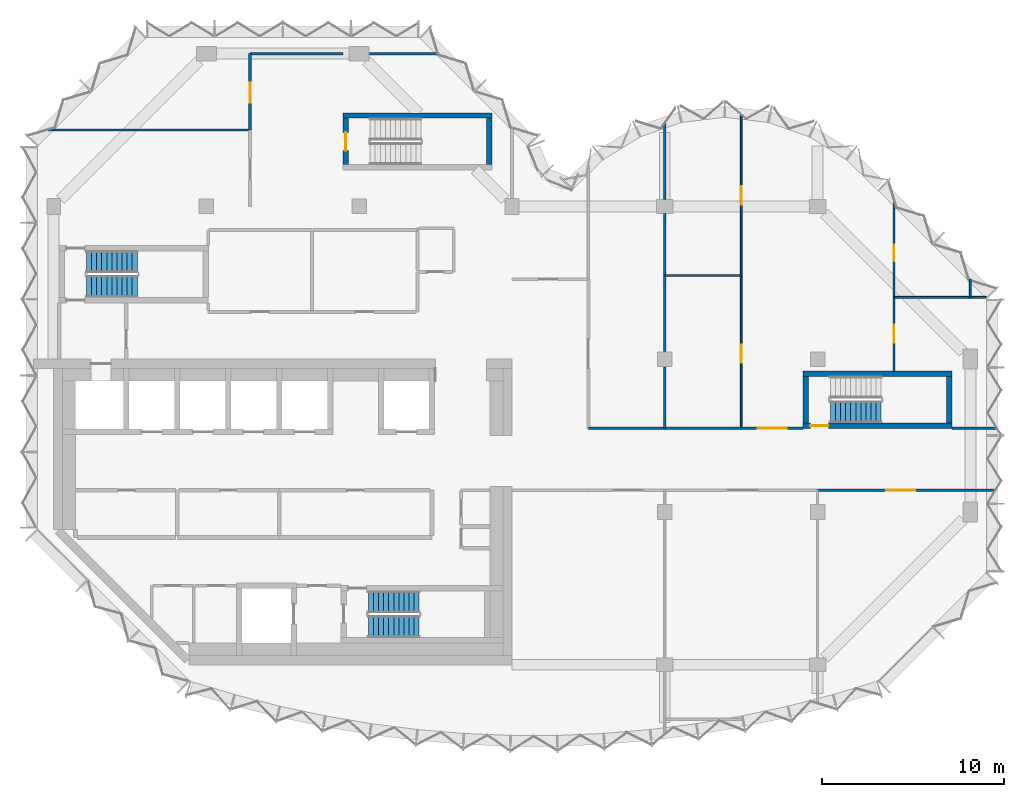
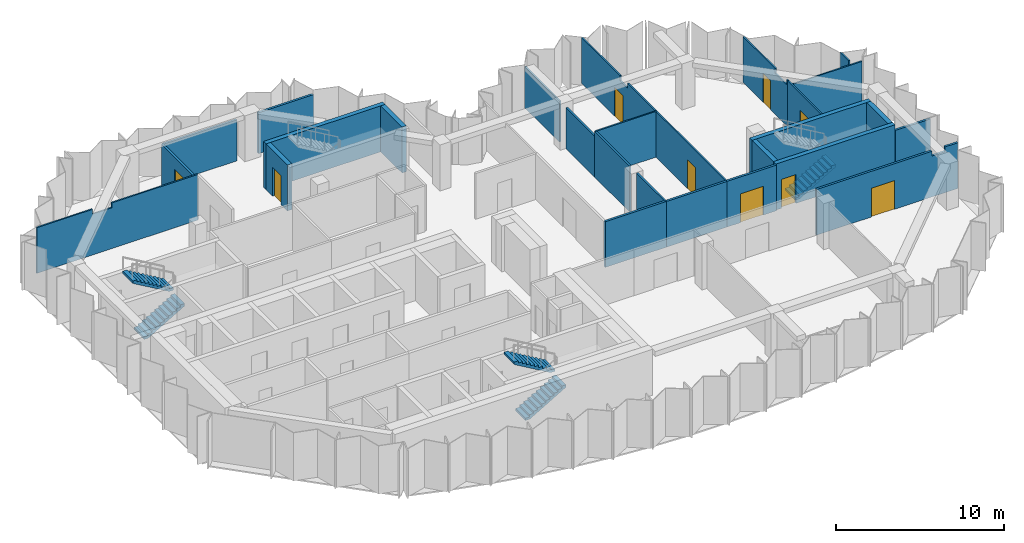
# One storey, part 7 of 10: 27 walls, 9 doors, 5 stair flights, 9 openings, 3 elements without a shape of their own.
"""IFC4 building model written with IfcOpenShell, lengths in metres."""

from ifc_helpers import new_model, si_unit, direction, frame, frame_2d, origin, place, context, subcontext, project, spatial, polyline, rectangle, outline, extrude, material, layer, layer_set, type_object, element, fill, aggregate, save


model = new_model("IFC4")

# Units and contexts
model_context = context("Model", 3, precision=1e-05, world=origin(), true_north=direction((0.0, 1.0)))
body_context = subcontext(model_context, "Body", "Model", "MODEL_VIEW")
ifc_project = project(units=[si_unit("LENGTHUNIT", "METRE"), si_unit("AREAUNIT", "SQUARE_METRE"), si_unit("VOLUMEUNIT", "CUBIC_METRE"), si_unit("PLANEANGLEUNIT", "RADIAN"), si_unit("MASSUNIT", "GRAM", prefix="KILO")], contexts=[model_context])

# Site, building, storey
site_placement = place(None, origin())
site = spatial("IfcSite", under=ifc_project, at=site_placement, CompositionType="ELEMENT")
building_placement = place(site_placement, origin())
building = spatial("IfcBuilding", under=site, at=building_placement, Name="Brevane Broadcast Tower", CompositionType="ELEMENT")
storey_placement = place(building_placement, frame((0.0, 0.0, 237.300048828125)))
storey = spatial("IfcBuildingStorey", under=building, at=storey_placement, Name="L60", CompositionType="ELEMENT", Elevation=237.300048828125)

# Wall
ifc_material_1 = material(Name="Concrete C50/60", Category="concrete")
ifc_layer_1 = layer(ifc_material_1, 0.300048828125)
ifc_layer_set_1 = layer_set([ifc_layer_1], Name="Core wall 300 mm C50/60")
wall_type_1 = type_object("IfcWallType", Name="Core wall 300 mm C50/60", PredefinedType="SHEAR", material=ifc_layer_set_1)
wall_1_placement = place(storey_placement, frame((15.89990234375, 30.199951171875, 0.0), z_axis=(0.0, 0.0, 1.0), x_axis=(1.0, 0.0, 0.0)))
element("IfcWall", 1, at=wall_1_placement, inside=storey, type_object=wall_type_1, Name="L60 stair wall ST-3-N", PredefinedType="SHEAR", context=body_context, shape_type="SweptSolid", body=[
    extrude(rectangle(XDim=8.2001953125, YDim=0.300048828125, at=frame_2d((4.10009765625, 0.0))), origin(), (0.0, 0.0, 1.0), 3.349853515625),
])

# Wall, opening, door
wall_2_placement = place(storey_placement, frame((16.050048828125, 27.5, 0.0), z_axis=(0.0, 0.0, 1.0), x_axis=(0.0, 1.0, 0.0)))
wall_2 = element("IfcWall", 2, at=wall_2_placement, inside=storey, type_object=wall_type_1, Name="L60 stair wall ST-3-W", PredefinedType="SHEAR", context=body_context, shape_type="SweptSolid", body=[
    extrude(rectangle(XDim=2.550048828125, YDim=0.300048828125, at=frame_2d((1.27490234375, 0.0))), origin(), (0.0, 0.0, 1.0), 3.349853515625),
])
opening_1_placement = place(wall_2_placement, frame((0.77490234375, 0.0, 0.0)))
opening_1 = element("IfcOpeningElement", 3, at=opening_1_placement, cuts=wall_2, Name="Opening L60-K12", PredefinedType="OPENING", context=body_context, shape_type="SweptSolid", body=[
    extrude(rectangle(XDim=1.0, YDim=2.10009765625, at=frame_2d((0.5, 1.050048828125))), frame((0.0, 0.159912109375, 0.0), z_axis=(0.0, -1.0, 0.0), x_axis=(1.0, 0.0, 0.0)), (0.0, 0.0, 1.0), 0.320068359375),
])
ifc_material_2 = material(Name="Steel", Category="steel")
door_type_1 = type_object("IfcDoorType", Name="Stair door 1000 x 2100", OperationType="SINGLE_SWING_LEFT", PredefinedType="DOOR", material=ifc_material_2)
door_1_placement = place(opening_1_placement, origin())
door_1 = element("IfcDoor", 4, at=door_1_placement, inside=storey, type_object=door_type_1, Name="Door L60-K12", OperationType="SINGLE_SWING_LEFT", OverallHeight=2.10009765625, OverallWidth=1.0, PredefinedType="DOOR", context=body_context, shape_type="SweptSolid", body=[
    extrude(rectangle(XDim=1.0, YDim=2.10009765625, at=frame_2d((0.5, 1.050048828125))), frame((0.0, 0.02490234375, 0.0), z_axis=(0.0, -1.0, 0.0), x_axis=(1.0, 0.0, 0.0)), (0.0, 0.0, 1.0), 0.050048828125),
])
fill(opening_1, door_1)

# Wall
wall_3_placement = place(storey_placement, frame((23.949951171875, 27.5, 0.0), z_axis=(0.0, 0.0, 1.0), x_axis=(0.0, 1.0, 0.0)))
element("IfcWall", 5, at=wall_3_placement, inside=storey, type_object=wall_type_1, Name="L60 stair wall ST-3-E", PredefinedType="SHEAR", context=body_context, shape_type="SweptSolid", body=[
    extrude(rectangle(XDim=2.550048828125, YDim=0.300048828125, at=frame_2d((1.27490234375, 0.0))), origin(), (0.0, 0.0, 1.0), 3.349853515625),
])

# Wall, opening, door
wall_4_placement = place(storey_placement, frame((49.39990234375, 13.14990234375, 0.0), z_axis=(0.0, 0.0, 1.0), x_axis=(-1.0, 0.0, 0.0)))
wall_4 = element("IfcWall", 6, at=wall_4_placement, inside=storey, type_object=wall_type_1, Name="L60 stair wall ST-4-S", PredefinedType="SHEAR", context=body_context, shape_type="SweptSolid", body=[
    extrude(rectangle(XDim=8.199951171875, YDim=0.300048828125, at=frame_2d((4.10009765625, 0.0))), origin(), (0.0, 0.0, 1.0), 3.349853515625),
])
opening_2_placement = place(wall_4_placement, frame((6.800048828125, 0.0, 0.0)))
opening_2 = element("IfcOpeningElement", 7, at=opening_2_placement, cuts=wall_4, Name="Opening L60-K13", PredefinedType="OPENING", context=body_context, shape_type="SweptSolid", body=[
    extrude(rectangle(XDim=1.0, YDim=2.10009765625, at=frame_2d((0.5, 1.050048828125))), frame((0.0, 0.159912109375, 0.0), z_axis=(0.0, -1.0, 0.0), x_axis=(1.0, 0.0, 0.0)), (0.0, 0.0, 1.0), 0.320068359375),
])
door_2_placement = place(opening_2_placement, origin())
door_2 = element("IfcDoor", 8, at=door_2_placement, inside=storey, type_object=door_type_1, Name="Door L60-K13", OperationType="SINGLE_SWING_RIGHT", OverallHeight=2.10009765625, OverallWidth=1.0, PredefinedType="DOOR", context=body_context, shape_type="SweptSolid", body=[
    extrude(rectangle(XDim=1.0, YDim=2.10009765625, at=frame_2d((0.5, 1.050048828125))), frame((0.0, 0.02490234375, 0.0), z_axis=(0.0, -1.0, 0.0), x_axis=(1.0, 0.0, 0.0)), (0.0, 0.0, 1.0), 0.050048828125),
])
fill(opening_2, door_2)

# Walls
wall_5_placement = place(storey_placement, frame((41.199951171875, 16.0, 0.0), z_axis=(0.0, 0.0, 1.0), x_axis=(1.0, 0.0, 0.0)))
element("IfcWall", 9, at=wall_5_placement, inside=storey, type_object=wall_type_1, Name="L60 stair wall ST-4-N", PredefinedType="SHEAR", context=body_context, shape_type="SweptSolid", body=[
    extrude(rectangle(XDim=8.199951171875, YDim=0.300048828125, at=frame_2d((4.10009765625, 0.0))), origin(), (0.0, 0.0, 1.0), 3.349853515625),
])
for number, where, z_axis, x_axis, name in (
    (10, (41.35009765625, 13.300048828125, 0.0), (0.0, 0.0, 1.0), (0.0, 1.0, 0.0), "L60 stair wall ST-4-W"),
    (11, (49.25, 13.300048828125, 0.0), (0.0, 0.0, 1.0), (0.0, 1.0, 0.0), "L60 stair wall ST-4-E"),
):
    element("IfcWall", number, at=place(storey_placement, frame(where, z_axis=z_axis, x_axis=x_axis)), inside=storey, type_object=wall_type_1, Name=name, PredefinedType="SHEAR", context=body_context, shape_type="SweptSolid", body=[
        extrude(rectangle(XDim=2.550048828125, YDim=0.300048828125, at=frame_2d((1.27490234375, 0.0))), origin(), (0.0, 0.0, 1.0), 3.349853515625),
    ])

# Wall, opening, door
ifc_material_3 = material(Name="Gypsum board partition")
ifc_layer_2 = layer(ifc_material_3, 0.10009765625)
ifc_layer_set_2 = layer_set([ifc_layer_2], Name="PARTITION 100 STUD")
wall_type_2 = type_object("IfcWallType", Name="PARTITION 100 STUD", PredefinedType="PARTITIONING", material=ifc_layer_set_2)
wall_6_placement = place(storey_placement, frame((46.199951171875, 20.199951171875, 0.0), z_axis=(0.0, 0.0, 1.0), x_axis=(0.0, -1.0, 0.0)))
wall_6 = element("IfcWall", 12, at=wall_6_placement, inside=storey, type_object=wall_type_2, Name="Partition G18-024", PredefinedType="PARTITIONING", context=body_context, shape_type="SweptSolid", body=[
    extrude(rectangle(XDim=4.050048828125, YDim=0.10009765625, at=frame_2d((2.02490234375, 0.0))), origin(), (0.0, 0.0, 1.0), 3.329833984375),
])
opening_3_placement = place(wall_6_placement, frame((1.5, 0.0, 0.0)))
opening_3 = element("IfcOpeningElement", 13, at=opening_3_placement, cuts=wall_6, Name="Opening D29-007", PredefinedType="OPENING", context=body_context, shape_type="SweptSolid", body=[
    extrude(rectangle(XDim=1.0, YDim=2.10009765625, at=frame_2d((0.5, 1.050048828125))), frame((0.0, 0.06005859375, 0.0), z_axis=(0.0, -1.0, 0.0), x_axis=(1.0, 0.0, 0.0)), (0.0, 0.0, 1.0), 0.1201171875),
])
ifc_material_4 = material(Name="Timber door leaf", Category="wood")
door_type_2 = type_object("IfcDoorType", Name="DOOR SINGLE 1000 INTERNAL", OperationType="SINGLE_SWING_LEFT", PredefinedType="DOOR", material=ifc_material_4)
door_3_placement = place(opening_3_placement, origin())
door_3 = element("IfcDoor", 14, at=door_3_placement, inside=storey, type_object=door_type_2, Name="Door D29-007", OperationType="SINGLE_SWING_LEFT", OverallHeight=2.10009765625, OverallWidth=1.0, PredefinedType="DOOR", context=body_context, shape_type="SweptSolid", body=[
    extrude(rectangle(XDim=1.0, YDim=2.10009765625, at=frame_2d((0.5, 1.050048828125))), frame((0.0, 0.02490234375, 0.0), z_axis=(0.0, -1.0, 0.0), x_axis=(1.0, 0.0, 0.0)), (0.0, 0.0, 1.0), 0.050048828125),
])
fill(opening_3, door_3)

wall_7_placement = place(storey_placement, frame((46.199951171875, 25.50244140625, 0.0), z_axis=(0.0, 0.0, 1.0), x_axis=(0.0, -1.0, 0.0)))
wall_7 = element("IfcWall", 15, at=wall_7_placement, inside=storey, type_object=wall_type_2, Name="Partition G18-025", PredefinedType="PARTITIONING", context=body_context, shape_type="SweptSolid", body=[
    extrude(outline(polyline([(0.0, 0.0), (5.302490234375, 0.0), (5.302490234375, 3.329833984375), (5.168212890625, 3.329833984375), (5.166259765625, 2.97998046875), (3.8388671875, 2.97998046875), (3.8369140625, 3.329833984375), (0.1025390625, 3.329833984375), (0.0, 3.329833984375), (0.0, 0.0)])), frame((0.0, 0.050048828125, 0.0), z_axis=(0.0, -1.0, 0.0), x_axis=(1.0, 0.0, 0.0)), (0.0, 0.0, 1.0), 0.10009765625),
])
opening_4_placement = place(wall_7_placement, frame((2.402587890625, 0.0, 0.0)))
opening_4 = element("IfcOpeningElement", 16, at=opening_4_placement, cuts=wall_7, Name="Opening D29-008", PredefinedType="OPENING", context=body_context, shape_type="SweptSolid", body=[
    extrude(rectangle(XDim=0.89990234375, YDim=2.10009765625, at=frame_2d((0.449951171875, 1.050048828125))), frame((0.0, 0.06005859375, 0.0), z_axis=(0.0, -1.0, 0.0), x_axis=(1.0, 0.0, 0.0)), (0.0, 0.0, 1.0), 0.1201171875),
])
door_type_3 = type_object("IfcDoorType", Name="DOOR SINGLE 900 INTERNAL", OperationType="SINGLE_SWING_LEFT", PredefinedType="DOOR", material=ifc_material_4)
door_4_placement = place(opening_4_placement, origin())
door_4 = element("IfcDoor", 17, at=door_4_placement, inside=storey, type_object=door_type_3, Name="Door D29-008", OperationType="SINGLE_SWING_LEFT", OverallHeight=2.10009765625, OverallWidth=0.89990234375, PredefinedType="DOOR", context=body_context, shape_type="SweptSolid", body=[
    extrude(rectangle(XDim=0.89990234375, YDim=2.10009765625, at=frame_2d((0.449951171875, 1.050048828125))), frame((0.0, 0.02490234375, 0.0), z_axis=(0.0, -1.0, 0.0), x_axis=(1.0, 0.0, 0.0)), (0.0, 0.0, 1.0), 0.050048828125),
])
fill(opening_4, door_4)

wall_8_placement = place(storey_placement, frame((37.800048828125, 13.0, 0.0), z_axis=(0.0, 0.0, 1.0), x_axis=(0.0, 1.0, 0.0)))
wall_8 = element("IfcWall", 18, at=wall_8_placement, inside=storey, type_object=wall_type_2, Name="Partition G18-026", PredefinedType="PARTITIONING", context=body_context, shape_type="SweptSolid", body=[
    extrude(rectangle(XDim=8.39990234375, YDim=0.10009765625, at=frame_2d((4.199951171875, 0.0))), origin(), (0.0, 0.0, 1.0), 3.329833984375),
])
opening_5_placement = place(wall_8_placement, frame((3.60009765625, 0.0, 0.0)))
opening_5 = element("IfcOpeningElement", 19, at=opening_5_placement, cuts=wall_8, Name="Opening D29-009", PredefinedType="OPENING", context=body_context, shape_type="SweptSolid", body=[
    extrude(rectangle(XDim=1.0, YDim=2.10009765625, at=frame_2d((0.5, 1.050048828125))), frame((0.0, 0.06005859375, 0.0), z_axis=(0.0, -1.0, 0.0), x_axis=(1.0, 0.0, 0.0)), (0.0, 0.0, 1.0), 0.1201171875),
])
door_5_placement = place(opening_5_placement, origin())
door_5 = element("IfcDoor", 20, at=door_5_placement, inside=storey, type_object=door_type_2, Name="Door D29-009", OperationType="SINGLE_SWING_LEFT", OverallHeight=2.10009765625, OverallWidth=1.0, PredefinedType="DOOR", context=body_context, shape_type="SweptSolid", body=[
    extrude(rectangle(XDim=1.0, YDim=2.10009765625, at=frame_2d((0.5, 1.050048828125))), frame((0.0, 0.02490234375, 0.0), z_axis=(0.0, -1.0, 0.0), x_axis=(1.0, 0.0, 0.0)), (0.0, 0.0, 1.0), 0.050048828125),
])
fill(opening_5, door_5)

wall_9_placement = place(storey_placement, frame((37.800048828125, 21.39990234375, 0.0), z_axis=(0.0, 0.0, 1.0), x_axis=(0.0, 1.0, 0.0)))
wall_9 = element("IfcWall", 21, at=wall_9_placement, inside=storey, type_object=wall_type_2, Name="Partition G18-027", PredefinedType="PARTITIONING", context=body_context, shape_type="SweptSolid", body=[
    extrude(outline(polyline([(0.0, 0.0), (8.8427734375, 0.0), (8.8427734375, 3.329833984375), (4.25, 3.329833984375), (4.248046875, 2.97998046875), (3.35205078125, 2.97998046875), (3.35009765625, 3.329833984375), (0.0, 3.329833984375), (0.0, 0.0)])), frame((0.0, 0.050048828125, 0.0), z_axis=(0.0, -1.0, 0.0), x_axis=(1.0, 0.0, 0.0)), (0.0, 0.0, 1.0), 0.10009765625),
])
opening_6_placement = place(wall_9_placement, frame((3.89990234375, 0.0, 0.0)))
opening_6 = element("IfcOpeningElement", 22, at=opening_6_placement, cuts=wall_9, Name="Opening D29-010", PredefinedType="OPENING", context=body_context, shape_type="SweptSolid", body=[
    extrude(rectangle(XDim=1.0, YDim=2.10009765625, at=frame_2d((0.5, 1.050048828125))), frame((0.0, 0.06005859375, 0.0), z_axis=(0.0, -1.0, 0.0), x_axis=(1.0, 0.0, 0.0)), (0.0, 0.0, 1.0), 0.1201171875),
])
door_6_placement = place(opening_6_placement, origin())
door_6 = element("IfcDoor", 23, at=door_6_placement, inside=storey, type_object=door_type_2, Name="Door D29-010", OperationType="SINGLE_SWING_LEFT", OverallHeight=2.10009765625, OverallWidth=1.0, PredefinedType="DOOR", context=body_context, shape_type="SweptSolid", body=[
    extrude(rectangle(XDim=1.0, YDim=2.10009765625, at=frame_2d((0.5, 1.050048828125))), frame((0.0, 0.02490234375, 0.0), z_axis=(0.0, -1.0, 0.0), x_axis=(1.0, 0.0, 0.0)), (0.0, 0.0, 1.0), 0.050048828125),
])
fill(opening_6, door_6)

# Walls
wall_10_placement = place(storey_placement, frame((46.199951171875, 20.199951171875, 0.0), z_axis=(0.0, 0.0, 1.0), x_axis=(1.0, 0.0, 0.0)))
element("IfcWall", 24, at=wall_10_placement, inside=storey, type_object=wall_type_2, Name="Partition G18-028", PredefinedType="PARTITIONING", context=body_context, shape_type="SweptSolid", body=[
    extrude(rectangle(XDim=5.071044921875, YDim=0.10009765625, at=frame_2d((2.53564453125, 0.0))), origin(), (0.0, 0.0, 1.0), 2.97998046875),
])
wall_11_placement = place(storey_placement, frame((50.39990234375, 20.199951171875, 0.0), z_axis=(0.0, 0.0, 1.0), x_axis=(0.0, 1.0, 0.0)))
element("IfcWall", 25, at=wall_11_placement, inside=storey, type_object=wall_type_2, Name="Partition G18-029", PredefinedType="PARTITIONING", context=body_context, shape_type="SweptSolid", body=[
    extrude(rectangle(XDim=1.0, YDim=0.10009765625, at=frame_2d((0.5, 0.0))), origin(), (0.0, 0.0, 1.0), 3.329833984375),
])
wall_12_placement = place(storey_placement, frame((33.60009765625, 21.39990234375, 0.0), z_axis=(0.0, 0.0, 1.0), x_axis=(1.0, 0.0, 0.0)))
element("IfcWall", 26, at=wall_12_placement, inside=storey, type_object=wall_type_2, Name="Partition G18-030", PredefinedType="PARTITIONING", context=body_context, shape_type="SweptSolid", body=[
    extrude(rectangle(XDim=4.199951171875, YDim=0.10009765625, at=frame_2d((2.10009765625, 0.0))), origin(), (0.0, 0.0, 1.0), 3.329833984375),
])
wall_13_placement = place(storey_placement, frame((-0.302490234375, 29.39990234375, 0.0), z_axis=(0.0, 0.0, 1.0), x_axis=(1.0, 0.0, 0.0)))
element("IfcWall", 27, at=wall_13_placement, inside=storey, type_object=wall_type_2, Name="Partition G18-035", PredefinedType="PARTITIONING", context=body_context, shape_type="SweptSolid", body=[
    extrude(outline(polyline([(0.0, 0.0), (11.1025390625, 0.0), (11.1025390625, 3.329833984375), (5.168212890625, 3.329833984375), (5.166259765625, 2.97998046875), (3.8388671875, 2.97998046875), (3.8369140625, 3.329833984375), (0.1025390625, 3.329833984375), (0.0, 3.329833984375), (0.0, 0.0)])), frame((0.0, 0.050048828125, 0.0), z_axis=(0.0, -1.0, 0.0), x_axis=(1.0, 0.0, 0.0)), (0.0, 0.0, 1.0), 0.10009765625),
])
ifc_layer_3 = layer(ifc_material_3, 0.125)
ifc_layer_set_3 = layer_set([ifc_layer_3], Name="PARTITION 125 ACOUSTIC")
wall_type_3 = type_object("IfcWallType", Name="PARTITION 125 ACOUSTIC", PredefinedType="PARTITIONING", material=ifc_layer_set_3)
wall_14_placement = place(storey_placement, frame((33.60009765625, 21.39990234375, 0.0), z_axis=(0.0, 0.0, 1.0), x_axis=(0.0, -1.0, 0.0)))
element("IfcWall", 28, at=wall_14_placement, inside=storey, type_object=wall_type_3, Name="Partition G18-020", PredefinedType="PARTITIONING", context=body_context, shape_type="SweptSolid", body=[
    extrude(rectangle(XDim=4.179931640625, YDim=0.125, at=frame_2d((2.08984375, 0.0))), origin(), (0.0, 0.0, 1.0), 3.329833984375),
])
wall_15_placement = place(storey_placement, frame((33.60009765625, 16.3798828125, 0.0), z_axis=(0.0, 0.0, 1.0), x_axis=(0.0, -1.0, 0.0)))
element("IfcWall", 29, at=wall_15_placement, inside=storey, type_object=wall_type_3, Name="Partition G18-021", PredefinedType="PARTITIONING", context=body_context, shape_type="SweptSolid", body=[
    extrude(rectangle(XDim=3.3798828125, YDim=0.125, at=frame_2d((1.68994140625, 0.0))), origin(), (0.0, 0.0, 1.0), 3.329833984375),
])
wall_16_placement = place(storey_placement, frame((33.60009765625, 29.761962890625, 0.0), z_axis=(0.0, 0.0, 1.0), x_axis=(0.0, -1.0, 0.0)))
element("IfcWall", 30, at=wall_16_placement, inside=storey, type_object=wall_type_3, Name="Partition G18-022", PredefinedType="PARTITIONING", context=body_context, shape_type="SweptSolid", body=[
    extrude(rectangle(XDim=4.1669921875, YDim=0.125, at=frame_2d((2.08349609375, 0.0))), origin(), (0.0, 0.0, 1.0), 2.97998046875),
])
wall_17_placement = place(storey_placement, frame((33.60009765625, 24.804931640625, 0.0), z_axis=(0.0, 0.0, 1.0), x_axis=(0.0, -1.0, 0.0)))
element("IfcWall", 31, at=wall_17_placement, inside=storey, type_object=wall_type_3, Name="Partition G18-023", PredefinedType="PARTITIONING", context=body_context, shape_type="SweptSolid", body=[
    extrude(rectangle(XDim=3.405029296875, YDim=0.125, at=frame_2d((1.70263671875, 0.0))), origin(), (0.0, 0.0, 1.0), 2.97998046875),
])

# Wall, opening, door
ifc_layer_4 = layer(ifc_material_3, 0.14990234375)
ifc_layer_set_4 = layer_set([ifc_layer_4], Name="PARTITION 150 EI 60")
wall_type_4 = type_object("IfcWallType", Name="PARTITION 150 EI 60", PredefinedType="PARTITIONING", material=ifc_layer_set_4)
wall_18_placement = place(storey_placement, frame((51.73046875, 9.60009765625, 0.0), z_axis=(0.0, 0.0, 1.0), x_axis=(-1.0, 0.0, 0.0)))
wall_18 = element("IfcWall", 32, at=wall_18_placement, inside=storey, type_object=wall_type_4, Name="Partition G18-008", PredefinedType="PARTITIONING", context=body_context, shape_type="SweptSolid", body=[
    extrude(outline(polyline([(0.0, 0.0), (9.73046875, 0.0), (9.73046875, 3.329833984375), (1.780517578125, 3.329833984375), (1.778564453125, 2.97998046875), (0.882568359375, 2.97998046875), (0.880615234375, 3.329833984375), (0.25048828125, 3.329833984375), (0.0, 3.329833984375), (0.0, 0.0)])), frame((0.0, 0.074951171875, 0.0), z_axis=(0.0, -1.0, 0.0), x_axis=(1.0, 0.0, 0.0)), (0.0, 0.0, 1.0), 0.14990234375),
])
opening_7_placement = place(wall_18_placement, frame((4.3505859375, 0.0, 0.0)))
opening_7 = element("IfcOpeningElement", 33, at=opening_7_placement, cuts=wall_18, Name="Opening D29-004", PredefinedType="OPENING", context=body_context, shape_type="SweptSolid", body=[
    extrude(rectangle(XDim=1.60009765625, YDim=2.10009765625, at=frame_2d((0.800048828125, 1.050048828125))), frame((0.0, 0.0849609375, 0.0), z_axis=(0.0, -1.0, 0.0), x_axis=(1.0, 0.0, 0.0)), (0.0, 0.0, 1.0), 0.169921875),
])
ifc_material_5 = material(Name="Fire-rated timber door leaf", Category="wood")
door_type_4 = type_object("IfcDoorType", Name="DOOR DOUBLE 1600 FD30S", OperationType="DOUBLE_DOOR_SINGLE_SWING", PredefinedType="DOOR", material=ifc_material_5)
door_7_placement = place(opening_7_placement, origin())
door_7 = element("IfcDoor", 34, at=door_7_placement, inside=storey, type_object=door_type_4, Name="Door D29-004", OperationType="DOUBLE_DOOR_SINGLE_SWING", OverallHeight=2.10009765625, OverallWidth=1.60009765625, PredefinedType="DOOR", context=body_context, shape_type="SweptSolid", body=[
    extrude(rectangle(XDim=1.60009765625, YDim=2.10009765625, at=frame_2d((0.800048828125, 1.050048828125))), frame((0.0, 0.02490234375, 0.0), z_axis=(0.0, -1.0, 0.0), x_axis=(1.0, 0.0, 0.0)), (0.0, 0.0, 1.0), 0.050048828125),
])
fill(opening_7, door_7)

# Wall
wall_19_placement = place(storey_placement, frame((29.39990234375, 13.0, 0.0), z_axis=(0.0, 0.0, 1.0), x_axis=(1.0, 0.0, 0.0)))
element("IfcWall", 35, at=wall_19_placement, inside=storey, type_object=wall_type_4, Name="Partition G18-009", PredefinedType="PARTITIONING", context=body_context, shape_type="SweptSolid", body=[
    extrude(rectangle(XDim=4.2001953125, YDim=0.14990234375, at=frame_2d((2.10009765625, 0.0))), origin(), (0.0, 0.0, 1.0), 3.329833984375),
])

# Wall, opening, door
wall_20_placement = place(storey_placement, frame((37.800048828125, 13.0, 0.0), z_axis=(0.0, 0.0, 1.0), x_axis=(1.0, 0.0, 0.0)))
wall_20 = element("IfcWall", 36, at=wall_20_placement, inside=storey, type_object=wall_type_4, Name="Partition G18-010", PredefinedType="PARTITIONING", context=body_context, shape_type="SweptSolid", body=[
    extrude(rectangle(XDim=3.39990234375, YDim=0.14990234375, at=frame_2d((1.699951171875, 0.0))), origin(), (0.0, 0.0, 1.0), 3.329833984375),
])
opening_8_placement = place(wall_20_placement, frame((0.89990234375, 0.0, 0.0)))
opening_8 = element("IfcOpeningElement", 37, at=opening_8_placement, cuts=wall_20, Name="Opening D29-006", PredefinedType="OPENING", context=body_context, shape_type="SweptSolid", body=[
    extrude(rectangle(XDim=1.60009765625, YDim=2.10009765625, at=frame_2d((0.800048828125, 1.050048828125))), frame((0.0, 0.0849609375, 0.0), z_axis=(0.0, -1.0, 0.0), x_axis=(1.0, 0.0, 0.0)), (0.0, 0.0, 1.0), 0.169921875),
])
door_8_placement = place(opening_8_placement, origin())
door_8 = element("IfcDoor", 38, at=door_8_placement, inside=storey, type_object=door_type_4, Name="Door D29-006", OperationType="DOUBLE_DOOR_SINGLE_SWING", OverallHeight=2.10009765625, OverallWidth=1.60009765625, PredefinedType="DOOR", context=body_context, shape_type="SweptSolid", body=[
    extrude(rectangle(XDim=1.60009765625, YDim=2.10009765625, at=frame_2d((0.800048828125, 1.050048828125))), frame((0.0, 0.02490234375, 0.0), z_axis=(0.0, -1.0, 0.0), x_axis=(1.0, 0.0, 0.0)), (0.0, 0.0, 1.0), 0.050048828125),
])
fill(opening_8, door_8)

# Walls
wall_21_placement = place(storey_placement, frame((49.39990234375, 13.0, 0.0), z_axis=(0.0, 0.0, 1.0), x_axis=(1.0, 0.0, 0.0)))
element("IfcWall", 39, at=wall_21_placement, inside=storey, type_object=wall_type_4, Name="Partition G18-011", PredefinedType="PARTITIONING", context=body_context, shape_type="SweptSolid", body=[
    extrude(rectangle(XDim=2.419677734375, YDim=0.14990234375, at=frame_2d((1.2099609375, 0.0))), origin(), (0.0, 0.0, 1.0), 2.97998046875),
])
wall_22_placement = place(storey_placement, frame((33.60009765625, 13.0, 0.0), z_axis=(0.0, 0.0, 1.0), x_axis=(1.0, 0.0, 0.0)))
element("IfcWall", 40, at=wall_22_placement, inside=storey, type_object=wall_type_4, Name="Partition G18-012", PredefinedType="PARTITIONING", context=body_context, shape_type="SweptSolid", body=[
    extrude(rectangle(XDim=4.199951171875, YDim=0.14990234375, at=frame_2d((2.10009765625, 0.0))), origin(), (0.0, 0.0, 1.0), 3.329833984375),
])

# Wall, opening, door
wall_23_placement = place(storey_placement, frame((10.800048828125, 29.39990234375, 0.0), z_axis=(0.0, 0.0, 1.0), x_axis=(0.0, 1.0, 0.0)))
wall_23 = element("IfcWall", 41, at=wall_23_placement, inside=storey, type_object=wall_type_4, Name="Partition G18-032", PredefinedType="PARTITIONING", context=body_context, shape_type="SweptSolid", body=[
    extrude(rectangle(XDim=4.2001953125, YDim=0.14990234375, at=frame_2d((2.10009765625, 0.0))), origin(), (0.0, 0.0, 1.0), 2.97998046875),
])
opening_9_placement = place(wall_23_placement, frame((1.5, 0.0, 0.0)))
opening_9 = element("IfcOpeningElement", 42, at=opening_9_placement, cuts=wall_23, Name="Opening D29-012", PredefinedType="OPENING", context=body_context, shape_type="SweptSolid", body=[
    extrude(rectangle(XDim=1.10009765625, YDim=2.10009765625, at=frame_2d((0.550048828125, 1.050048828125))), frame((0.0, 0.0849609375, 0.0), z_axis=(0.0, -1.0, 0.0), x_axis=(1.0, 0.0, 0.0)), (0.0, 0.0, 1.0), 0.169921875),
])
door_type_5 = type_object("IfcDoorType", Name="DOOR SINGLE 1100 FD30S", OperationType="SINGLE_SWING_LEFT", PredefinedType="DOOR", material=ifc_material_5)
door_9_placement = place(opening_9_placement, origin())
door_9 = element("IfcDoor", 43, at=door_9_placement, inside=storey, type_object=door_type_5, Name="Door D29-012", OperationType="SINGLE_SWING_LEFT", OverallHeight=2.10009765625, OverallWidth=1.10009765625, PredefinedType="DOOR", context=body_context, shape_type="SweptSolid", body=[
    extrude(rectangle(XDim=1.10009765625, YDim=2.10009765625, at=frame_2d((0.550048828125, 1.050048828125))), frame((0.0, 0.02490234375, 0.0), z_axis=(0.0, -1.0, 0.0), x_axis=(1.0, 0.0, 0.0)), (0.0, 0.0, 1.0), 0.050048828125),
])
fill(opening_9, door_9)

# Walls
wall_24_placement = place(storey_placement, frame((10.800048828125, 33.60009765625, 0.0), z_axis=(0.0, 0.0, 1.0), x_axis=(1.0, 0.0, 0.0)))
element("IfcWall", 44, at=wall_24_placement, inside=storey, type_object=wall_type_4, Name="Partition G18-033", PredefinedType="PARTITIONING", context=body_context, shape_type="SweptSolid", body=[
    extrude(outline(polyline([(0.0, 0.0), (5.099853515625, 0.0), (5.10009765625, 2.97998046875), (0.0, 2.97998046875), (0.0, 0.0)])), frame((0.0, 0.074951171875, 0.0), z_axis=(0.0, -1.0, 0.0), x_axis=(1.0, 0.0, 0.0)), (0.0, 0.0, 1.0), 0.14990234375),
])
wall_25_placement = place(storey_placement, frame((17.3701171875, 33.60009765625, 0.0), z_axis=(0.0, 0.0, 1.0), x_axis=(1.0, 0.0, 0.0)))
element("IfcWall", 45, at=wall_25_placement, inside=storey, type_object=wall_type_4, Name="Partition G18-034", PredefinedType="PARTITIONING", context=body_context, shape_type="SweptSolid", body=[
    extrude(rectangle(XDim=3.829833984375, YDim=0.14990234375, at=frame_2d((1.9150390625, 0.0))), origin(), (0.0, 0.0, 1.0), 2.97998046875),
])

# Stair, stair flights
stair_type = type_object("IfcStairType", Name="Exit stair 22 risers", PredefinedType="HALF_TURN_STAIR", material=ifc_material_1)
stair_1_placement = place(storey_placement, origin())
stair_1 = element("IfcStair", 46, at=stair_1_placement, inside=storey, type_object=stair_type, Name="L60 Exit stair ST-1", PredefinedType="HALF_TURN_STAIR")
stair_flight_type = type_object("IfcStairFlightType", Name="Exit stair flight 22 risers", PredefinedType="STRAIGHT", material=ifc_material_1)
stair_flight_1_placement = place(storey_placement, frame((1.800048828125, 20.800048828125, 0.0), z_axis=(0.0, 0.0, 1.0), x_axis=(1.0, 0.0, 0.0)))
stair_flight_1 = element("IfcStairFlight", 47, at=stair_flight_1_placement, type_object=stair_flight_type, Name="ST-1 flight 1", NumberOfRisers=11, NumberOfTreads=10, PredefinedType="STRAIGHT", RiserHeight=0.163636364, TreadLength=0.28, context=body_context, shape_type="SweptSolid", body=[
    extrude(outline(polyline([(0.0, 0.0), (0.0, 0.16357421875), (0.280029296875, 0.16357421875), (0.280029296875, 0.327392578125), (0.56005859375, 0.327392578125), (0.56005859375, 0.490966796875), (0.840087890625, 0.490966796875), (0.840087890625, 0.654541015625), (1.1201171875, 0.654541015625), (1.1201171875, 0.818115234375), (1.39990234375, 0.818115234375), (1.39990234375, 0.98193359375), (1.679931640625, 0.98193359375), (1.679931640625, 1.1455078125), (1.9599609375, 1.1455078125), (1.9599609375, 1.30908203125), (2.239990234375, 1.30908203125), (2.239990234375, 1.47265625), (2.52001953125, 1.47265625), (2.52001953125, 1.636474609375), (2.800048828125, 1.636474609375), (2.800048828125, 1.800048828125), (2.800048828125, 1.462646484375), (0.297119140625, 0.0), (0.0, 0.0)])), frame((0.0, 0.60009765625, 0.0), z_axis=(0.0, -1.0, 0.0), x_axis=(1.0, 0.0, 0.0)), (0.0, 0.0, 1.0), 1.199951171875),
])
stair_flight_2_placement = place(storey_placement, frame((4.60009765625, 22.14990234375, 1.800048828125), z_axis=(0.0, 0.0, 1.0), x_axis=(-1.0, 0.0, 0.0)))
stair_flight_2 = element("IfcStairFlight", 48, at=stair_flight_2_placement, type_object=stair_flight_type, Name="ST-1 flight 2", NumberOfRisers=11, NumberOfTreads=10, PredefinedType="STRAIGHT", RiserHeight=0.163636364, TreadLength=0.28, context=body_context, shape_type="SweptSolid", body=[
    extrude(outline(polyline([(0.0, 0.0), (0.0, 0.16357421875), (0.280029296875, 0.16357421875), (0.280029296875, 0.327392578125), (0.56005859375, 0.327392578125), (0.56005859375, 0.490966796875), (0.840087890625, 0.490966796875), (0.840087890625, 0.654541015625), (1.1201171875, 0.654541015625), (1.1201171875, 0.818115234375), (1.39990234375, 0.818115234375), (1.39990234375, 0.98193359375), (1.679931640625, 0.98193359375), (1.679931640625, 1.1455078125), (1.9599609375, 1.1455078125), (1.9599609375, 1.30908203125), (2.239990234375, 1.30908203125), (2.239990234375, 1.47265625), (2.52001953125, 1.47265625), (2.52001953125, 1.636474609375), (2.800048828125, 1.636474609375), (2.800048828125, 1.800048828125), (2.800048828125, 1.462646484375), (0.297119140625, 0.0), (0.0, 0.0)])), frame((0.0, 0.60009765625, 0.0), z_axis=(0.0, -1.0, 0.0), x_axis=(1.0, 0.0, 0.0)), (0.0, 0.0, 1.0), 1.199951171875),
])
aggregate(stair_1, [stair_flight_1, stair_flight_2])

stair_2_placement = place(storey_placement, origin())
stair_2 = element("IfcStair", 49, at=stair_2_placement, inside=storey, type_object=stair_type, Name="L60 Exit stair ST-2", PredefinedType="HALF_TURN_STAIR")
stair_flight_3_placement = place(storey_placement, frame((17.300048828125, 2.10009765625, 0.0), z_axis=(0.0, 0.0, 1.0), x_axis=(1.0, 0.0, 0.0)))
stair_flight_3 = element("IfcStairFlight", 50, at=stair_flight_3_placement, type_object=stair_flight_type, Name="ST-2 flight 1", NumberOfRisers=11, NumberOfTreads=10, PredefinedType="STRAIGHT", RiserHeight=0.163636364, TreadLength=0.28, context=body_context, shape_type="SweptSolid", body=[
    extrude(outline(polyline([(0.0, 0.0), (0.0, 0.16357421875), (0.280029296875, 0.16357421875), (0.280029296875, 0.327392578125), (0.56005859375, 0.327392578125), (0.56005859375, 0.490966796875), (0.840087890625, 0.490966796875), (0.840087890625, 0.654541015625), (1.1201171875, 0.654541015625), (1.1201171875, 0.818115234375), (1.39990234375, 0.818115234375), (1.39990234375, 0.98193359375), (1.679931640625, 0.98193359375), (1.679931640625, 1.1455078125), (1.9599609375, 1.1455078125), (1.9599609375, 1.30908203125), (2.239990234375, 1.30908203125), (2.239990234375, 1.47265625), (2.52001953125, 1.47265625), (2.52001953125, 1.636474609375), (2.800048828125, 1.636474609375), (2.800048828125, 1.800048828125), (2.800048828125, 1.462646484375), (0.297119140625, 0.0), (0.0, 0.0)])), frame((0.0, 0.60009765625, 0.0), z_axis=(0.0, -1.0, 0.0), x_axis=(1.0, 0.0, 0.0)), (0.0, 0.0, 1.0), 1.199951171875),
])
stair_flight_4_placement = place(storey_placement, frame((20.10009765625, 3.449951171875, 1.800048828125), z_axis=(0.0, 0.0, 1.0), x_axis=(-1.0, 0.0, 0.0)))
stair_flight_4 = element("IfcStairFlight", 51, at=stair_flight_4_placement, type_object=stair_flight_type, Name="ST-2 flight 2", NumberOfRisers=11, NumberOfTreads=10, PredefinedType="STRAIGHT", RiserHeight=0.163636364, TreadLength=0.28, context=body_context, shape_type="SweptSolid", body=[
    extrude(outline(polyline([(0.0, 0.0), (0.0, 0.16357421875), (0.280029296875, 0.16357421875), (0.280029296875, 0.327392578125), (0.56005859375, 0.327392578125), (0.56005859375, 0.490966796875), (0.840087890625, 0.490966796875), (0.840087890625, 0.654541015625), (1.1201171875, 0.654541015625), (1.1201171875, 0.818115234375), (1.39990234375, 0.818115234375), (1.39990234375, 0.98193359375), (1.679931640625, 0.98193359375), (1.679931640625, 1.1455078125), (1.9599609375, 1.1455078125), (1.9599609375, 1.30908203125), (2.239990234375, 1.30908203125), (2.239990234375, 1.47265625), (2.52001953125, 1.47265625), (2.52001953125, 1.636474609375), (2.800048828125, 1.636474609375), (2.800048828125, 1.800048828125), (2.800048828125, 1.462646484375), (0.297119140625, 0.0), (0.0, 0.0)])), frame((0.0, 0.60009765625, 0.0), z_axis=(0.0, -1.0, 0.0), x_axis=(1.0, 0.0, 0.0)), (0.0, 0.0, 1.0), 1.199951171875),
])
aggregate(stair_2, [stair_flight_3, stair_flight_4])

# Stair, stair flight
stair_3_placement = place(storey_placement, origin())
stair_3 = element("IfcStair", 52, at=stair_3_placement, inside=storey, type_object=stair_type, Name="L60 Exit stair ST-4", PredefinedType="HALF_TURN_STAIR")
stair_flight_5_placement = place(storey_placement, frame((42.699951171875, 13.89990234375, 0.0), z_axis=(0.0, 0.0, 1.0), x_axis=(1.0, 0.0, 0.0)))
stair_flight_5 = element("IfcStairFlight", 53, at=stair_flight_5_placement, type_object=stair_flight_type, Name="ST-4 flight 1", NumberOfRisers=11, NumberOfTreads=10, PredefinedType="STRAIGHT", RiserHeight=0.163636364, TreadLength=0.28, context=body_context, shape_type="SweptSolid", body=[
    extrude(outline(polyline([(0.0, 0.0), (0.0, 0.16357421875), (0.280029296875, 0.16357421875), (0.280029296875, 0.327392578125), (0.56005859375, 0.327392578125), (0.56005859375, 0.490966796875), (0.840087890625, 0.490966796875), (0.840087890625, 0.654541015625), (1.1201171875, 0.654541015625), (1.1201171875, 0.818115234375), (1.39990234375, 0.818115234375), (1.39990234375, 0.98193359375), (1.679931640625, 0.98193359375), (1.679931640625, 1.1455078125), (1.9599609375, 1.1455078125), (1.9599609375, 1.30908203125), (2.239990234375, 1.30908203125), (2.239990234375, 1.47265625), (2.52001953125, 1.47265625), (2.52001953125, 1.636474609375), (2.800048828125, 1.636474609375), (2.800048828125, 1.800048828125), (2.800048828125, 1.462646484375), (0.297119140625, 0.0), (0.0, 0.0)])), frame((0.0, 0.60009765625, 0.0), z_axis=(0.0, -1.0, 0.0), x_axis=(1.0, 0.0, 0.0)), (0.0, 0.0, 1.0), 1.199951171875),
])
aggregate(stair_3, [stair_flight_5])

save(model, "model.ifc")
